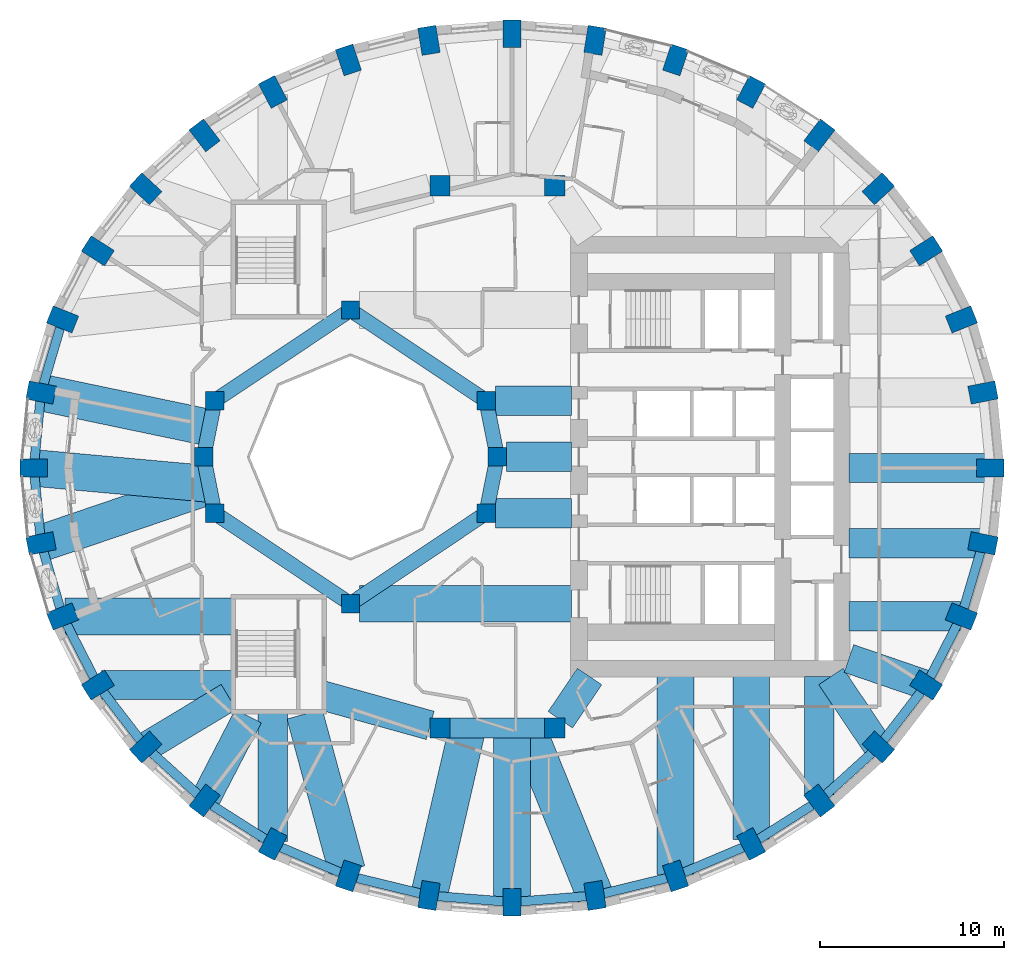
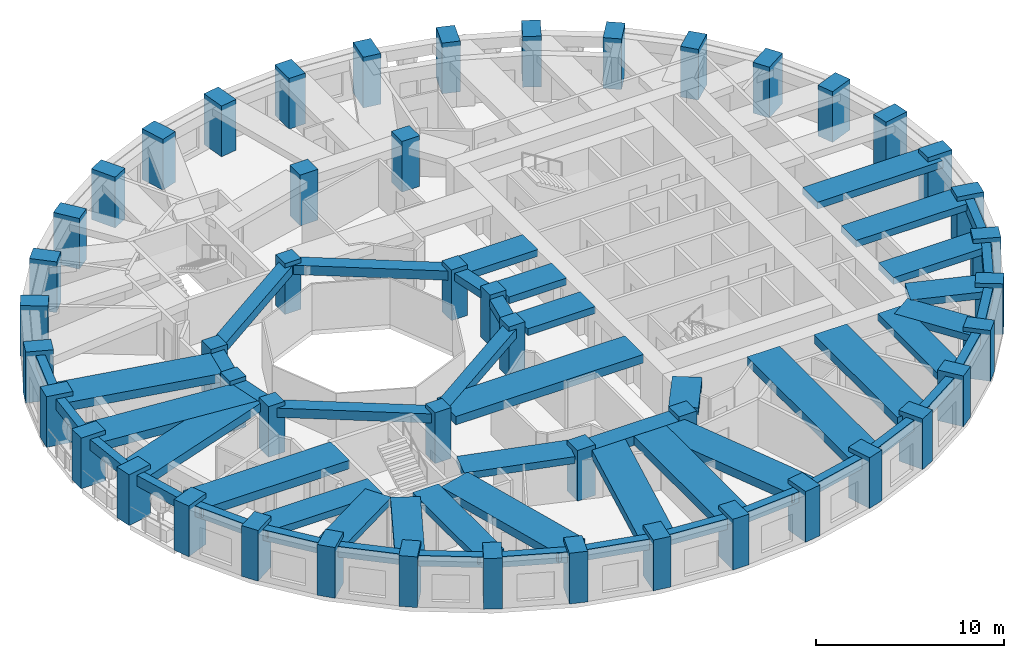
# One storey, part 1 of 12: 54 beams, 48 columns.
"""IFC4 building model written with IfcOpenShell, lengths in metres."""

from ifc_helpers import new_model, si_unit, direction, frame, origin, origin_2d, place, context, subcontext, project, spatial, rectangle, extrude, material, material_profile, profile_set, type_object, element, save


model = new_model("IFC4")

# Units and contexts
model_context = context("Model", 3, precision=1e-05, world=origin(), true_north=direction((0.0, 1.0)))
body_context = subcontext(model_context, "Body", "Model", "MODEL_VIEW")
ifc_project = project(units=[si_unit("LENGTHUNIT", "METRE"), si_unit("AREAUNIT", "SQUARE_METRE"), si_unit("VOLUMEUNIT", "CUBIC_METRE"), si_unit("PLANEANGLEUNIT", "RADIAN"), si_unit("MASSUNIT", "GRAM", prefix="KILO")], contexts=[model_context])

# Site, building, storey
site_placement = place(None, origin())
site = spatial("IfcSite", under=ifc_project, at=site_placement, CompositionType="ELEMENT")
building_placement = place(site_placement, origin())
building = spatial("IfcBuilding", under=site, at=building_placement, Name="Taillehof Tower", CompositionType="ELEMENT")
storey_placement = place(building_placement, frame((0.0, 0.0, 102.10009765625)))
storey = spatial("IfcBuildingStorey", under=building, at=storey_placement, Name="L28", CompositionType="ELEMENT", Elevation=102.10009765625)

# Columns
ifc_material_1 = material(Name="Concrete C50/60", Category="concrete")
ifc_material_profile_1 = material_profile(ifc_material_1, rectangle(XDim=1.0, YDim=1.0, at=origin_2d()), Name="RC 1000x1000")
ifc_profile_set_1 = profile_set([ifc_material_profile_1], Name="Concrete C50/60")
column_type_1 = type_object("IfcColumnType", Name="Atrium ring column C50/60 1000x1000", PredefinedType="COLUMN", material=ifc_profile_set_1)
for number, where, z_axis, x_axis, name in (
    (1, (0.0, 0.0, 0.0), (0.0, 0.0, 1.0), (1.0, 0.0, 0.0), "Column AC01"),
    (2, (-0.60888671875, 3.0615234375, 0.0), (0.0, 0.0, 1.0), (1.0, 0.0, 0.0), "Column AC02"),
    (3, (-8.0, 8.0, 0.0), (0.0, 0.0, 1.0), (1.0, 0.0, 0.0), "Column AC05"),
    (4, (-15.39111328125, 3.0615234375, 0.0), (0.0, 0.0, 1.0), (1.0, 0.0, 0.0), "Column AC08"),
    (5, (-16.0, 0.0, 0.0), (0.0, 0.0, 1.0), (1.0, 0.0, 0.0), "Column AC09"),
    (6, (-15.39111328125, -3.0615234375, 0.0), (0.0, 0.0, 1.0), (1.0, 0.0, 0.0), "Column AC10"),
    (7, (-8.0, -8.0, 0.0), (0.0, 0.0, 1.0), (1.0, 0.0, 0.0), "Column AC13"),
    (8, (-0.60888671875, -3.0615234375, 0.0), (0.0, 0.0, 1.0), (1.0, 0.0, 0.0), "Column AC16"),
):
    element("IfcColumn", number, at=place(storey_placement, frame(where, z_axis=z_axis, x_axis=x_axis)), inside=storey, type_object=column_type_1, Name=name, PredefinedType="COLUMN", context=body_context, shape_type="SweptSolid", body=[
        extrude(rectangle(XDim=1.0, YDim=1.0, at=origin_2d()), origin(), (0.0, 0.0, 1.0), 3.2998046875),
    ])
ifc_material_2 = material(Name="Concrete C50/60", Category="concrete")
ifc_material_profile_2 = material_profile(ifc_material_2, rectangle(XDim=1.10009765625, YDim=1.10009765625, at=origin_2d()), Name="RC 1100x1100")
ifc_profile_set_2 = profile_set([ifc_material_profile_2], Name="Concrete C50/60")
column_type_2 = type_object("IfcColumnType", Name="Mid-ring column C50/60 1100x1100", PredefinedType="COLUMN", material=ifc_profile_set_2)
for number, where, z_axis, x_axis, name in (
    (9, (3.125732421875, 14.772216796875, 0.0), (0.0, 0.0, 1.0), (1.0, 0.0, 0.0), "Column MC05"),
    (10, (-3.125732421875, 14.772216796875, 0.0), (0.0, 0.0, 1.0), (1.0, 0.0, 0.0), "Column MC06"),
    (11, (-3.125732421875, -14.772216796875, 0.0), (0.0, 0.0, 1.0), (1.0, 0.0, 0.0), "Column MC14"),
    (12, (3.125732421875, -14.772216796875, 0.0), (0.0, 0.0, 1.0), (1.0, 0.0, 0.0), "Column MC15"),
):
    element("IfcColumn", number, at=place(storey_placement, frame(where, z_axis=z_axis, x_axis=x_axis)), inside=storey, type_object=column_type_2, Name=name, PredefinedType="COLUMN", context=body_context, shape_type="SweptSolid", body=[
        extrude(rectangle(XDim=1.10009765625, YDim=1.10009765625, at=origin_2d()), origin(), (0.0, 0.0, 1.0), 3.2998046875),
    ])
ifc_material_3 = material(Name="Concrete C70/85", Category="concrete")
ifc_material_profile_3 = material_profile(ifc_material_3, rectangle(XDim=1.5, YDim=1.0, at=origin_2d()), Name="RC 1500x1000")
ifc_profile_set_3 = profile_set([ifc_material_profile_3], Name="Concrete C70/85")
column_type_3 = type_object("IfcColumnType", Name="Ring column C70/85 1500x1000", PredefinedType="COLUMN", material=ifc_profile_set_3)
for number, where, z_axis, x_axis, name in (
    (13, (26.85009765625, -0.60009765625, 0.0), (0.0, 0.0, 1.0), (1.0, 0.0, 0.0), "Ring column RC01"),
    (14, (26.454345703125, 3.5068359375, 0.0), (0.0, 0.0, 1.0), (0.981757466121, 0.190137523166, 0.0), "Ring column RC02"),
    (15, (25.279052734375, 7.48876953125, 0.0), (0.0, 0.0, 1.0), (0.928550110352, 0.371207075048, 0.0), "Ring column RC03"),
    (16, (23.35986328125, 11.22509765625, 0.0), (0.0, 0.0, 1.0), (0.844511454562, 0.535537489923, 0.0), "Ring column RC04"),
    (17, (20.75537109375, 14.60205078125, 0.0), (0.0, 0.0, 1.0), (0.735332034083, 0.677707016085, 0.0), "Ring column RC05"),
    (18, (17.544677734375, 17.516845703125, 0.0), (0.0, 0.0, 1.0), (0.607074228939, 0.794645128694, 0.0), "Ring column RC06"),
    (19, (13.824951171875, 19.881591796875, 0.0), (0.0, 0.0, 1.0), (0.465283017627, 0.885161970211, 0.0), "Ring column RC07"),
    (20, (9.709716796875, 21.623779296875, 0.0), (0.0, 0.0, 1.0), (0.314554972703, 0.949239258116, 0.0), "Ring column RC08"),
    (21, (5.323486328125, 22.690673828125, 0.0), (0.0, 0.0, 1.0), (0.158507038215, 0.987357847407, 0.0), "Ring column RC09"),
    (22, (0.800048828125, 23.050048828125, 0.0), (0.0, 0.0, 1.0), (0.0, 1.0, 0.0), "Ring column RC10"),
    (23, (-3.7236328125, 22.690673828125, 0.0), (0.0, 0.0, 1.0), (-0.158507038215, 0.987357847407, 0.0), "Ring column RC11"),
    (24, (-8.109619140625, 21.623779296875, 0.0), (0.0, 0.0, 1.0), (-0.314554972703, 0.949239258116, 0.0), "Ring column RC12"),
    (25, (-12.22509765625, 19.881591796875, 0.0), (0.0, 0.0, 1.0), (-0.465283017627, 0.885161970211, 0.0), "Ring column RC13"),
    (26, (-15.944580078125, 17.516845703125, 0.0), (0.0, 0.0, 1.0), (-0.607074228939, 0.794645128694, 0.0), "Ring column RC14"),
    (27, (-19.155517578125, 14.60205078125, 0.0), (0.0, 0.0, 1.0), (-0.735332034083, 0.677707016085, 0.0), "Ring column RC15"),
    (28, (-21.760009765625, 11.22509765625, 0.0), (0.0, 0.0, 1.0), (-0.844511454562, 0.535537489923, 0.0), "Ring column RC16"),
    (29, (-23.678955078125, 7.48876953125, 0.0), (0.0, 0.0, 1.0), (-0.928550110352, 0.371207075048, 0.0), "Ring column RC17"),
    (30, (-24.854248046875, 3.5068359375, 0.0), (0.0, 0.0, 1.0), (-0.981757466121, 0.190137523166, 0.0), "Ring column RC18"),
    (31, (-25.25, -0.60009765625, 0.0), (0.0, 0.0, 1.0), (-1.0, 0.0, 0.0), "Ring column RC19"),
    (32, (-24.854248046875, -4.706787109375, 0.0), (0.0, 0.0, 1.0), (-0.981757466121, -0.190137523166, 0.0), "Ring column RC20"),
    (33, (-23.678955078125, -8.688720703125, 0.0), (0.0, 0.0, 1.0), (-0.928550110352, -0.371207075048, 0.0), "Ring column RC21"),
    (34, (-21.760009765625, -12.425048828125, 0.0), (0.0, 0.0, 1.0), (-0.844511454562, -0.535537489923, 0.0), "Ring column RC22"),
    (35, (-19.155517578125, -15.802001953125, 0.0), (0.0, 0.0, 1.0), (-0.735332034083, -0.677707016085, 0.0), "Ring column RC23"),
    (36, (-15.944580078125, -18.717041015625, 0.0), (0.0, 0.0, 1.0), (-0.607074228939, -0.794645128694, 0.0), "Ring column RC24"),
    (37, (-12.22509765625, -21.08154296875, 0.0), (0.0, 0.0, 1.0), (-0.465283017627, -0.885161970211, 0.0), "Ring column RC25"),
    (38, (-8.109619140625, -22.82373046875, 0.0), (0.0, 0.0, 1.0), (-0.314554972703, -0.949239258116, 0.0), "Ring column RC26"),
    (39, (-3.7236328125, -23.890625, 0.0), (0.0, 0.0, 1.0), (-0.158507038215, -0.987357847407, 0.0), "Ring column RC27"),
    (40, (0.800048828125, -24.25, 0.0), (0.0, 0.0, 1.0), (0.0, -1.0, 0.0), "Ring column RC28"),
    (41, (5.323486328125, -23.890625, 0.0), (0.0, 0.0, 1.0), (0.158507038215, -0.987357847407, 0.0), "Ring column RC29"),
    (42, (9.709716796875, -22.82373046875, 0.0), (0.0, 0.0, 1.0), (0.314554972703, -0.949239258116, 0.0), "Ring column RC30"),
    (43, (13.824951171875, -21.08154296875, 0.0), (0.0, 0.0, 1.0), (0.465283017627, -0.885161970211, 0.0), "Ring column RC31"),
    (44, (17.544677734375, -18.717041015625, 0.0), (0.0, 0.0, 1.0), (0.607074228939, -0.794645128694, 0.0), "Ring column RC32"),
    (45, (20.75537109375, -15.802001953125, 0.0), (0.0, 0.0, 1.0), (0.735332034083, -0.677707016085, 0.0), "Ring column RC33"),
    (46, (23.35986328125, -12.425048828125, 0.0), (0.0, 0.0, 1.0), (0.844511454562, -0.535537489923, 0.0), "Ring column RC34"),
    (47, (25.279052734375, -8.688720703125, 0.0), (0.0, 0.0, 1.0), (0.928550110352, -0.371207075048, 0.0), "Ring column RC35"),
    (48, (26.454345703125, -4.706787109375, 0.0), (0.0, 0.0, 1.0), (0.981757466121, -0.190137523166, 0.0), "Ring column RC36"),
):
    element("IfcColumn", number, at=place(storey_placement, frame(where, z_axis=z_axis, x_axis=x_axis)), inside=storey, type_object=column_type_3, Name=name, PredefinedType="COLUMN", context=body_context, shape_type="SweptSolid", body=[
        extrude(rectangle(XDim=1.5, YDim=1.0, at=origin_2d()), origin(), (0.0, 0.0, 1.0), 3.2998046875),
    ])

# Beams
ifc_material_4 = material(Name="Concrete C50/60", Category="concrete")
ifc_material_profile_4 = material_profile(ifc_material_4, rectangle(XDim=0.800048828125, YDim=0.5, at=origin_2d()), Name="RC 800x500")
ifc_profile_set_4 = profile_set([ifc_material_profile_4], Name="Concrete C50/60")
beam_type_1 = type_object("IfcBeamType", Name="Atrium ring beam C50/60 800x500", PredefinedType="BEAM", material=ifc_profile_set_4)
for number, where, z_axis, x_axis, name in (
    (49, (0.0, 0.0, 2.77001953125), (-0.195063155143, 0.980790683839, 0.0), (-0.980790683839, -0.195063155143, 0.0), "Atrium ring beam AB01"),
    (50, (-15.39111328125, 3.0615234375, 2.77001953125), (-0.195063155143, -0.980790683839, 0.0), (0.980790683839, -0.195063155143, 0.0), "Atrium ring beam AB04"),
    (51, (-16.0, 0.0, 2.77001953125), (0.195063155143, -0.980790683839, 0.0), (0.980790683839, 0.195063155143, 0.0), "Atrium ring beam AB05"),
    (52, (-0.60888671875, -3.0615234375, 2.77001953125), (0.195063155143, 0.980790683839, 0.0), (-0.980790683839, 0.195063155143, 0.0), "Atrium ring beam AB08"),
):
    element("IfcBeam", number, at=place(storey_placement, frame(where, z_axis=z_axis, x_axis=x_axis)), inside=storey, type_object=beam_type_1, Name=name, PredefinedType="BEAM", context=body_context, shape_type="SweptSolid", body=[
        extrude(rectangle(XDim=0.800048828125, YDim=0.5, at=origin_2d()), origin(), (0.0, 0.0, 1.0), 3.12158203125),
    ])
ifc_material_5 = material(Name="Concrete C50/60", Category="concrete")
ifc_material_profile_5 = material_profile(ifc_material_5, rectangle(XDim=0.800048828125, YDim=0.60009765625, at=origin_2d()), Name="RC 800x600")
ifc_profile_set_5 = profile_set([ifc_material_profile_5], Name="Concrete C50/60")
beam_type_2 = type_object("IfcBeamType", Name="Atrium ring beam C50/60 800x600", PredefinedType="BEAM", material=ifc_profile_set_5)
for number, where, z_axis, x_axis, name in (
    (53, (-0.60888671875, 3.0615234375, 2.719970703125), (-0.831475195687, 0.555561876804, 0.0), (-0.555561876804, -0.831475195687, 0.0), "Atrium ring beam AB02"),
    (54, (-8.0, 8.0, 2.719970703125), (-0.831475195687, -0.555561876804, 0.0), (0.555561876804, -0.831475195687, 0.0), "Atrium ring beam AB03"),
    (55, (-15.39111328125, -3.0615234375, 2.719970703125), (0.831475195687, -0.555561876804, 0.0), (0.555561876804, 0.831475195687, 0.0), "Atrium ring beam AB06"),
    (56, (-8.0, -8.0, 2.719970703125), (0.831475195687, 0.555561876804, 0.0), (-0.555561876804, 0.831475195687, 0.0), "Atrium ring beam AB07"),
):
    element("IfcBeam", number, at=place(storey_placement, frame(where, z_axis=z_axis, x_axis=x_axis)), inside=storey, type_object=beam_type_2, Name=name, PredefinedType="BEAM", context=body_context, shape_type="SweptSolid", body=[
        extrude(rectangle(XDim=0.800048828125, YDim=0.60009765625, at=origin_2d()), origin(), (0.0, 0.0, 1.0), 8.88916015625),
    ])
ifc_material_6 = material(Name="Concrete C50/60", Category="concrete")
ifc_material_profile_6 = material_profile(ifc_material_6, rectangle(XDim=1.10009765625, YDim=0.60009765625, at=origin_2d()), Name="RC 1100x600")
ifc_profile_set_6 = profile_set([ifc_material_profile_6], Name="Concrete C50/60")
beam_type_3 = type_object("IfcBeamType", Name="Mid-ring beam C50/60 1100x600", PredefinedType="BEAM", material=ifc_profile_set_6)
beam_1_placement = place(storey_placement, frame((-3.125732421875, -14.772216796875, 2.719970703125), z_axis=(1.0, 0.0, 0.0), x_axis=(0.0, 1.0, 0.0)))
element("IfcBeam", 57, at=beam_1_placement, inside=storey, type_object=beam_type_3, Name="Mid-ring beam MB02", PredefinedType="BEAM", context=body_context, shape_type="SweptSolid", body=[
    extrude(rectangle(XDim=1.10009765625, YDim=0.60009765625, at=origin_2d()), origin(), (0.0, 0.0, 1.0), 6.25146484375),
])
ifc_material_7 = material(Name="Concrete C50/60", Category="concrete")
ifc_material_profile_7 = material_profile(ifc_material_7, rectangle(XDim=1.60009765625, YDim=0.449951171875, at=origin_2d()), Name="RC 1600x450")
ifc_profile_set_7 = profile_set([ifc_material_profile_7], Name="Concrete C50/60")
beam_type_4 = type_object("IfcBeamType", Name="Radial band beam C50/60 1600x450", PredefinedType="BEAM", material=ifc_profile_set_7)
beam_2_placement = place(storey_placement, frame((26.85009765625, -0.60009765625, 2.794921875), z_axis=(-1.0, 0.0, 0.0), x_axis=(0.0, -1.0, 0.0)))
element("IfcBeam", 58, at=beam_2_placement, inside=storey, type_object=beam_type_4, Name="Radial band beam RB01", PredefinedType="BEAM", context=body_context, shape_type="SweptSolid", body=[
    extrude(rectangle(XDim=1.60009765625, YDim=0.449951171875, at=origin_2d()), origin(), (0.0, 0.0, 1.0), 7.7001953125),
])
beam_3_placement = place(storey_placement, frame((-21.54736328125, -12.425048828125, 2.794921875), z_axis=(1.0, 0.0, 0.0), x_axis=(0.0, 1.0, 0.0)))
element("IfcBeam", 59, at=beam_3_placement, inside=storey, type_object=beam_type_4, Name="Radial band beam RB22", PredefinedType="BEAM", context=body_context, shape_type="SweptSolid", body=[
    extrude(rectangle(XDim=1.60009765625, YDim=0.449951171875, at=origin_2d()), origin(), (0.0, 0.0, 1.0), 7.097412109375),
])
beam_4_placement = place(storey_placement, frame((-19.155517578125, -15.802001953125, 2.794921875), z_axis=(0.856794973818, 0.515657224171, 0.0), x_axis=(-0.515657224171, 0.856794973818, 0.0)))
element("IfcBeam", 60, at=beam_4_placement, inside=storey, type_object=beam_type_4, Name="Radial band beam RB23", PredefinedType="BEAM", context=body_context, shape_type="SweptSolid", body=[
    extrude(rectangle(XDim=1.60009765625, YDim=0.449951171875, at=origin_2d()), origin(), (0.0, 0.0, 1.0), 5.28369140625),
])
beam_5_placement = place(storey_placement, frame((-15.944580078125, -18.717041015625, 2.794921875), z_axis=(0.460119038647, 0.8878572353, 0.0), x_axis=(-0.8878572353, 0.460119038647, 0.0)))
element("IfcBeam", 61, at=beam_5_placement, inside=storey, type_object=beam_type_4, Name="Radial band beam RB24", PredefinedType="BEAM", context=body_context, shape_type="SweptSolid", body=[
    extrude(rectangle(XDim=1.60009765625, YDim=0.449951171875, at=origin_2d()), origin(), (0.0, 0.0, 1.0), 5.1796875),
])
beam_6_placement = place(storey_placement, frame((-12.22509765625, -20.9443359375, 2.794921875), z_axis=(0.0, 1.0, 0.0), x_axis=(-1.0, 0.0, 0.0)))
element("IfcBeam", 62, at=beam_6_placement, inside=storey, type_object=beam_type_4, Name="Radial band beam RB25", PredefinedType="BEAM", context=body_context, shape_type="SweptSolid", body=[
    extrude(rectangle(XDim=1.60009765625, YDim=0.449951171875, at=origin_2d()), origin(), (0.0, 0.0, 1.0), 6.994384765625),
])
beam_7_placement = place(storey_placement, frame((17.544677734375, -18.421875, 2.794921875), z_axis=(0.0, 1.0, 0.0), x_axis=(-1.0, 0.0, 0.0)))
element("IfcBeam", 63, at=beam_7_placement, inside=storey, type_object=beam_type_4, Name="Radial band beam RB32", PredefinedType="BEAM", context=body_context, shape_type="SweptSolid", body=[
    extrude(rectangle(XDim=1.60009765625, YDim=0.449951171875, at=origin_2d()), origin(), (0.0, 0.0, 1.0), 6.471923828125),
])
beam_8_placement = place(storey_placement, frame((20.75537109375, -15.802001953125, 2.794921875), z_axis=(-0.557822939952, 0.829959979555, 0.0), x_axis=(-0.829959979555, -0.557822939952, 0.0)))
element("IfcBeam", 64, at=beam_8_placement, inside=storey, type_object=beam_type_4, Name="Radial band beam RB33", PredefinedType="BEAM", context=body_context, shape_type="SweptSolid", body=[
    extrude(rectangle(XDim=1.60009765625, YDim=0.449951171875, at=origin_2d()), origin(), (0.0, 0.0, 1.0), 4.630859375),
])
beam_9_placement = place(storey_placement, frame((23.35986328125, -12.425048828125, 2.794921875), z_axis=(-0.946037817118, 0.324056242932, 0.0), x_axis=(-0.324056242932, -0.946037817118, 0.0)))
element("IfcBeam", 65, at=beam_9_placement, inside=storey, type_object=beam_type_4, Name="Radial band beam RB34", PredefinedType="BEAM", context=body_context, shape_type="SweptSolid", body=[
    extrude(rectangle(XDim=1.60009765625, YDim=0.449951171875, at=origin_2d()), origin(), (0.0, 0.0, 1.0), 4.447265625),
])
beam_10_placement = place(storey_placement, frame((25.2275390625, -8.688720703125, 2.794921875), z_axis=(-1.0, 0.0, 0.0), x_axis=(0.0, -1.0, 0.0)))
element("IfcBeam", 66, at=beam_10_placement, inside=storey, type_object=beam_type_4, Name="Radial band beam RB35", PredefinedType="BEAM", context=body_context, shape_type="SweptSolid", body=[
    extrude(rectangle(XDim=1.60009765625, YDim=0.449951171875, at=origin_2d()), origin(), (0.0, 0.0, 1.0), 6.07763671875),
])
beam_11_placement = place(storey_placement, frame((26.454345703125, -4.706787109375, 2.794921875), z_axis=(-1.0, 0.0, 0.0), x_axis=(0.0, -1.0, 0.0)))
element("IfcBeam", 67, at=beam_11_placement, inside=storey, type_object=beam_type_4, Name="Radial band beam RB36", PredefinedType="BEAM", context=body_context, shape_type="SweptSolid", body=[
    extrude(rectangle(XDim=1.60009765625, YDim=0.449951171875, at=origin_2d()), origin(), (0.0, 0.0, 1.0), 7.304443359375),
])
beam_12_placement = place(storey_placement, frame((0.5, 0.0, 2.794921875), z_axis=(1.0, 0.0, 0.0), x_axis=(0.0, 1.0, 0.0)))
element("IfcBeam", 68, at=beam_12_placement, inside=storey, type_object=beam_type_4, Name="Inner band beam IB101", PredefinedType="BEAM", context=body_context, shape_type="SweptSolid", body=[
    extrude(rectangle(XDim=1.60009765625, YDim=0.449951171875, at=origin_2d()), origin(), (0.0, 0.0, 1.0), 3.550048828125),
])
for number, where, z_axis, x_axis, name in (
    (69, (-0.10888671875, 3.0615234375, 2.794921875), (1.0, 0.0, 0.0), (0.0, 1.0, 0.0), "Inner band beam IB102"),
    (70, (-0.10888671875, -3.0615234375, 2.794921875), (1.0, 0.0, 0.0), (0.0, 1.0, 0.0), "Inner band beam IB116"),
):
    element("IfcBeam", number, at=place(storey_placement, frame(where, z_axis=z_axis, x_axis=x_axis)), inside=storey, type_object=beam_type_4, Name=name, PredefinedType="BEAM", context=body_context, shape_type="SweptSolid", body=[
        extrude(rectangle(XDim=1.60009765625, YDim=0.449951171875, at=origin_2d()), origin(), (0.0, 0.0, 1.0), 4.158935546875),
    ])
beam_13_placement = place(storey_placement, frame((-3.655517578125, -14.624755859375, 2.794921875), z_axis=(-0.963459369536, 0.267854518821, 0.0), x_axis=(-0.267854518821, -0.963459369536, 0.0)))
element("IfcBeam", 71, at=beam_13_placement, inside=storey, type_object=beam_type_4, Name="Inner band beam IB214", PredefinedType="BEAM", context=body_context, shape_type="SweptSolid", body=[
    extrude(rectangle(XDim=1.60009765625, YDim=0.449951171875, at=origin_2d()), origin(), (0.0, 0.0, 1.0), 6.096923828125),
])
beam_14_placement = place(storey_placement, frame((3.433837890625, -14.31640625, 2.794921875), z_axis=(0.560112043398, 0.828416862962, 0.0), x_axis=(-0.828416862962, 0.560112043398, 0.0)))
element("IfcBeam", 72, at=beam_14_placement, inside=storey, type_object=beam_type_4, Name="Inner band beam IB215", PredefinedType="BEAM", context=body_context, shape_type="SweptSolid", body=[
    extrude(rectangle(XDim=1.60009765625, YDim=0.449951171875, at=origin_2d()), origin(), (0.0, 0.0, 1.0), 2.84619140625),
])
ifc_material_8 = material(Name="Concrete C50/60", Category="concrete")
ifc_material_profile_8 = material_profile(ifc_material_8, rectangle(XDim=2.0, YDim=0.550048828125, at=origin_2d()), Name="RC 2000x550")
ifc_profile_set_8 = profile_set([ifc_material_profile_8], Name="Concrete C50/60")
beam_type_5 = type_object("IfcBeamType", Name="Radial band beam C50/60 2000x550", PredefinedType="BEAM", material=ifc_profile_set_8)
beam_15_placement = place(storey_placement, frame((-24.854248046875, 3.5068359375, 2.744873046875), z_axis=(0.978853404319, -0.204562980164, 0.0), x_axis=(0.204562980164, 0.978853404319, 0.0)))
element("IfcBeam", 73, at=beam_15_placement, inside=storey, type_object=beam_type_5, Name="Radial band beam RB18", PredefinedType="BEAM", context=body_context, shape_type="SweptSolid", body=[
    extrude(rectangle(XDim=2.0, YDim=0.550048828125, at=origin_2d()), origin(), (0.0, 0.0, 1.0), 9.36865234375),
])
beam_16_placement = place(storey_placement, frame((-25.25, -0.60009765625, 2.744873046875), z_axis=(0.995859515154, -0.090905588816, 0.0), x_axis=(0.090905588816, 0.995859515154, 0.0)))
element("IfcBeam", 74, at=beam_16_placement, inside=storey, type_object=beam_type_5, Name="Radial band beam RB19", PredefinedType="BEAM", context=body_context, shape_type="SweptSolid", body=[
    extrude(rectangle(XDim=2.0, YDim=0.550048828125, at=origin_2d()), origin(), (0.0, 0.0, 1.0), 9.58251953125),
])
beam_17_placement = place(storey_placement, frame((-24.854248046875, -4.706787109375, 2.744873046875), z_axis=(0.946822052625, 0.321757673822, 0.0), x_axis=(-0.321757673822, 0.946822052625, 0.0)))
element("IfcBeam", 75, at=beam_17_placement, inside=storey, type_object=beam_type_5, Name="Radial band beam RB20", PredefinedType="BEAM", context=body_context, shape_type="SweptSolid", body=[
    extrude(rectangle(XDim=2.0, YDim=0.550048828125, at=origin_2d()), origin(), (0.0, 0.0, 1.0), 9.685791015625),
])
beam_18_placement = place(storey_placement, frame((-23.54736328125, -8.688720703125, 2.744873046875), z_axis=(1.0, 0.0, 0.0), x_axis=(0.0, 1.0, 0.0)))
element("IfcBeam", 76, at=beam_18_placement, inside=storey, type_object=beam_type_5, Name="Radial band beam RB21", PredefinedType="BEAM", context=body_context, shape_type="SweptSolid", body=[
    extrude(rectangle(XDim=2.0, YDim=0.550048828125, at=origin_2d()), origin(), (0.0, 0.0, 1.0), 9.097412109375),
])
beam_19_placement = place(storey_placement, frame((-8.186767578125, -22.539306640625, 2.744873046875), z_axis=(-0.261461600872, 0.965213878511, 0.0), x_axis=(-0.965213878511, -0.261461600872, 0.0)))
element("IfcBeam", 77, at=beam_19_placement, inside=storey, type_object=beam_type_5, Name="Radial band beam RB26", PredefinedType="BEAM", context=body_context, shape_type="SweptSolid", body=[
    extrude(rectangle(XDim=2.0, YDim=0.550048828125, at=origin_2d()), origin(), (0.0, 0.0, 1.0), 8.835205078125),
])
beam_20_placement = place(storey_placement, frame((-3.7236328125, -23.890625, 2.744873046875), z_axis=(0.224215346781, 0.974539623755, 0.0), x_axis=(-0.974539623755, 0.224215346781, 0.0)))
element("IfcBeam", 78, at=beam_20_placement, inside=storey, type_object=beam_type_5, Name="Radial band beam RB27", PredefinedType="BEAM", context=body_context, shape_type="SweptSolid", body=[
    extrude(rectangle(XDim=2.0, YDim=0.550048828125, at=origin_2d()), origin(), (0.0, 0.0, 1.0), 9.356689453125),
])
beam_21_placement = place(storey_placement, frame((0.800048828125, -24.25, 2.744873046875), z_axis=(0.0, 1.0, 0.0), x_axis=(-1.0, 0.0, 0.0)))
element("IfcBeam", 79, at=beam_21_placement, inside=storey, type_object=beam_type_5, Name="Radial band beam RB28", PredefinedType="BEAM", context=body_context, shape_type="SweptSolid", body=[
    extrude(rectangle(XDim=2.0, YDim=0.550048828125, at=origin_2d()), origin(), (0.0, 0.0, 1.0), 9.477783203125),
])
beam_22_placement = place(storey_placement, frame((5.323486328125, -23.890625, 2.744873046875), z_axis=(-0.375801287916, 0.926700270854, 0.0), x_axis=(-0.926700270854, -0.375801287916, 0.0)))
element("IfcBeam", 80, at=beam_22_placement, inside=storey, type_object=beam_type_5, Name="Radial band beam RB29", PredefinedType="BEAM", context=body_context, shape_type="SweptSolid", body=[
    extrude(rectangle(XDim=2.0, YDim=0.550048828125, at=origin_2d()), origin(), (0.0, 0.0, 1.0), 9.839599609375),
])
beam_23_placement = place(storey_placement, frame((9.709716796875, -22.756591796875, 2.744873046875), z_axis=(0.0, 1.0, 0.0), x_axis=(-1.0, 0.0, 0.0)))
element("IfcBeam", 81, at=beam_23_placement, inside=storey, type_object=beam_type_5, Name="Radial band beam RB30", PredefinedType="BEAM", context=body_context, shape_type="SweptSolid", body=[
    extrude(rectangle(XDim=2.0, YDim=0.550048828125, at=origin_2d()), origin(), (0.0, 0.0, 1.0), 10.806640625),
])
beam_24_placement = place(storey_placement, frame((13.824951171875, -20.839599609375, 2.744873046875), z_axis=(0.0, 1.0, 0.0), x_axis=(-1.0, 0.0, 0.0)))
element("IfcBeam", 82, at=beam_24_placement, inside=storey, type_object=beam_type_5, Name="Radial band beam RB31", PredefinedType="BEAM", context=body_context, shape_type="SweptSolid", body=[
    extrude(rectangle(XDim=2.0, YDim=0.550048828125, at=origin_2d()), origin(), (0.0, 0.0, 1.0), 8.8896484375),
])
beam_25_placement = place(storey_placement, frame((-7.5, -8.0, 2.744873046875), z_axis=(1.0, 0.0, 0.0), x_axis=(0.0, 1.0, 0.0)))
element("IfcBeam", 83, at=beam_25_placement, inside=storey, type_object=beam_type_5, Name="Inner band beam IB113", PredefinedType="BEAM", context=body_context, shape_type="SweptSolid", body=[
    extrude(rectangle(XDim=2.0, YDim=0.550048828125, at=origin_2d()), origin(), (0.0, 0.0, 1.0), 11.550048828125),
])
ifc_material_9 = material(Name="Concrete C50/60", Category="concrete")
ifc_material_profile_9 = material_profile(ifc_material_9, rectangle(XDim=0.5, YDim=0.699951171875, at=origin_2d()), Name="RC 500x700")
ifc_profile_set_9 = profile_set([ifc_material_profile_9], Name="Concrete C50/60")
beam_type_6 = type_object("IfcBeamType", Name="Spandrel beam C50/60 500x700", PredefinedType="SPANDREL", material=ifc_profile_set_9)
beam_26_placement = place(storey_placement, frame((-23.678955078125, 7.48876953125, 2.669921875), z_axis=(-0.28308309012, -0.95909538842, 0.0), x_axis=(0.95909538842, -0.28308309012, 0.0)))
element("IfcBeam", 84, at=beam_26_placement, inside=storey, type_object=beam_type_6, Name="Spandrel beam SB17", PredefinedType="SPANDREL", context=body_context, shape_type="SweptSolid", body=[
    extrude(rectangle(XDim=0.5, YDim=0.699951171875, at=origin_2d()), origin(), (0.0, 0.0, 1.0), 4.15185546875),
])
beam_27_placement = place(storey_placement, frame((-24.854248046875, 3.5068359375, 2.669921875), z_axis=(-0.095917608943, -0.995389276763, 0.0), x_axis=(0.995389276763, -0.095917608943, 0.0)))
element("IfcBeam", 85, at=beam_27_placement, inside=storey, type_object=beam_type_6, Name="Spandrel beam SB18", PredefinedType="SPANDREL", context=body_context, shape_type="SweptSolid", body=[
    extrude(rectangle(XDim=0.5, YDim=0.699951171875, at=origin_2d()), origin(), (0.0, 0.0, 1.0), 4.1259765625),
])
beam_28_placement = place(storey_placement, frame((-25.25, -0.60009765625, 2.669921875), z_axis=(0.09592325873, -0.995388732323, 0.0), x_axis=(0.995388732323, 0.09592325873, 0.0)))
element("IfcBeam", 86, at=beam_28_placement, inside=storey, type_object=beam_type_6, Name="Spandrel beam SB19", PredefinedType="SPANDREL", context=body_context, shape_type="SweptSolid", body=[
    extrude(rectangle(XDim=0.5, YDim=0.699951171875, at=origin_2d()), origin(), (0.0, 0.0, 1.0), 4.125732421875),
])
beam_29_placement = place(storey_placement, frame((-24.854248046875, -4.706787109375, 2.669921875), z_axis=(0.28308309012, -0.95909538842, 0.0), x_axis=(0.95909538842, 0.28308309012, 0.0)))
element("IfcBeam", 87, at=beam_29_placement, inside=storey, type_object=beam_type_6, Name="Spandrel beam SB20", PredefinedType="SPANDREL", context=body_context, shape_type="SweptSolid", body=[
    extrude(rectangle(XDim=0.5, YDim=0.699951171875, at=origin_2d()), origin(), (0.0, 0.0, 1.0), 4.15185546875),
])
beam_30_placement = place(storey_placement, frame((-23.678955078125, -8.688720703125, 2.669921875), z_axis=(0.456859381733, -0.889538928503, 0.0), x_axis=(0.889538928503, 0.456859381733, 0.0)))
element("IfcBeam", 88, at=beam_30_placement, inside=storey, type_object=beam_type_6, Name="Spandrel beam SB21", PredefinedType="SPANDREL", context=body_context, shape_type="SweptSolid", body=[
    extrude(rectangle(XDim=0.5, YDim=0.699951171875, at=origin_2d()), origin(), (0.0, 0.0, 1.0), 4.2001953125),
])
beam_31_placement = place(storey_placement, frame((-21.760009765625, -12.425048828125, 2.669921875), z_axis=(0.61071731561, -0.79184869793, 0.0), x_axis=(0.79184869793, 0.61071731561, 0.0)))
element("IfcBeam", 89, at=beam_31_placement, inside=storey, type_object=beam_type_6, Name="Spandrel beam SB22", PredefinedType="SPANDREL", context=body_context, shape_type="SweptSolid", body=[
    extrude(rectangle(XDim=0.5, YDim=0.699951171875, at=origin_2d()), origin(), (0.0, 0.0, 1.0), 4.2646484375),
])
beam_32_placement = place(storey_placement, frame((-19.155517578125, -15.802001953125, 2.669921875), z_axis=(0.740398416885, -0.672168270803, 0.0), x_axis=(0.672168270803, 0.740398416885, 0.0)))
element("IfcBeam", 90, at=beam_32_placement, inside=storey, type_object=beam_type_6, Name="Spandrel beam SB23", PredefinedType="SPANDREL", context=body_context, shape_type="SweptSolid", body=[
    extrude(rectangle(XDim=0.5, YDim=0.699951171875, at=origin_2d()), origin(), (0.0, 0.0, 1.0), 4.336669921875),
])
beam_33_placement = place(storey_placement, frame((-15.944580078125, -18.717041015625, 2.669921875), z_axis=(0.843912293293, -0.536481165773, 0.0), x_axis=(0.536481165773, 0.843912293293, 0.0)))
element("IfcBeam", 91, at=beam_33_placement, inside=storey, type_object=beam_type_6, Name="Spandrel beam SB24", PredefinedType="SPANDREL", context=body_context, shape_type="SweptSolid", body=[
    extrude(rectangle(XDim=0.5, YDim=0.699951171875, at=origin_2d()), origin(), (0.0, 0.0, 1.0), 4.407470703125),
])
beam_34_placement = place(storey_placement, frame((-12.22509765625, -21.08154296875, 2.669921875), z_axis=(0.920885046825, -0.389834234688, 0.0), x_axis=(0.389834234688, 0.920885046825, 0.0)))
element("IfcBeam", 92, at=beam_34_placement, inside=storey, type_object=beam_type_6, Name="Spandrel beam SB25", PredefinedType="SPANDREL", context=body_context, shape_type="SweptSolid", body=[
    extrude(rectangle(XDim=0.5, YDim=0.699951171875, at=origin_2d()), origin(), (0.0, 0.0, 1.0), 4.468994140625),
])
beam_35_placement = place(storey_placement, frame((-8.109619140625, -22.82373046875, 2.669921875), z_axis=(0.971665924588, -0.236358479847, 0.0), x_axis=(0.236358479847, 0.971665924588, 0.0)))
element("IfcBeam", 93, at=beam_35_placement, inside=storey, type_object=beam_type_6, Name="Spandrel beam SB26", PredefinedType="SPANDREL", context=body_context, shape_type="SweptSolid", body=[
    extrude(rectangle(XDim=0.5, YDim=0.699951171875, at=origin_2d()), origin(), (0.0, 0.0, 1.0), 4.513916015625),
])
beam_36_placement = place(storey_placement, frame((-3.7236328125, -23.890625, 2.669921875), z_axis=(0.996859260648, -0.079193525375, 0.0), x_axis=(0.079193525375, 0.996859260648, 0.0)))
element("IfcBeam", 94, at=beam_36_placement, inside=storey, type_object=beam_type_6, Name="Spandrel beam SB27", PredefinedType="SPANDREL", context=body_context, shape_type="SweptSolid", body=[
    extrude(rectangle(XDim=0.5, YDim=0.699951171875, at=origin_2d()), origin(), (0.0, 0.0, 1.0), 4.537841796875),
])
beam_37_placement = place(storey_placement, frame((0.800048828125, -24.25, 2.669921875), z_axis=(0.996858923208, 0.079197772828, 0.0), x_axis=(-0.079197772828, 0.996858923208, 0.0)))
element("IfcBeam", 95, at=beam_37_placement, inside=storey, type_object=beam_type_6, Name="Spandrel beam SB28", PredefinedType="SPANDREL", context=body_context, shape_type="SweptSolid", body=[
    extrude(rectangle(XDim=0.5, YDim=0.699951171875, at=origin_2d()), origin(), (0.0, 0.0, 1.0), 4.53759765625),
])
beam_38_placement = place(storey_placement, frame((5.323486328125, -23.890625, 2.669921875), z_axis=(0.971668945916, 0.23634605887, 0.0), x_axis=(-0.23634605887, 0.971668945916, 0.0)))
element("IfcBeam", 96, at=beam_38_placement, inside=storey, type_object=beam_type_6, Name="Spandrel beam SB29", PredefinedType="SPANDREL", context=body_context, shape_type="SweptSolid", body=[
    extrude(rectangle(XDim=0.5, YDim=0.699951171875, at=origin_2d()), origin(), (0.0, 0.0, 1.0), 4.51416015625),
])
beam_39_placement = place(storey_placement, frame((9.709716796875, -22.82373046875, 2.669921875), z_axis=(0.920876744153, 0.389853847074, 0.0), x_axis=(-0.389853847074, 0.920876744153, 0.0)))
element("IfcBeam", 97, at=beam_39_placement, inside=storey, type_object=beam_type_6, Name="Spandrel beam SB30", PredefinedType="SPANDREL", context=body_context, shape_type="SweptSolid", body=[
    extrude(rectangle(XDim=0.5, YDim=0.699951171875, at=origin_2d()), origin(), (0.0, 0.0, 1.0), 4.46875),
])
beam_40_placement = place(storey_placement, frame((13.824951171875, -21.08154296875, 2.669921875), z_axis=(0.843928234947, 0.536456087914, 0.0), x_axis=(-0.536456087914, 0.843928234947, 0.0)))
element("IfcBeam", 98, at=beam_40_placement, inside=storey, type_object=beam_type_6, Name="Spandrel beam SB31", PredefinedType="SPANDREL", context=body_context, shape_type="SweptSolid", body=[
    extrude(rectangle(XDim=0.5, YDim=0.699951171875, at=origin_2d()), origin(), (0.0, 0.0, 1.0), 4.40771484375),
])
beam_41_placement = place(storey_placement, frame((17.544677734375, -18.717041015625, 2.669921875), z_axis=(0.740372980414, 0.672196288202, 0.0), x_axis=(-0.672196288202, 0.740372980414, 0.0)))
element("IfcBeam", 99, at=beam_41_placement, inside=storey, type_object=beam_type_6, Name="Spandrel beam SB32", PredefinedType="SPANDREL", context=body_context, shape_type="SweptSolid", body=[
    extrude(rectangle(XDim=0.5, YDim=0.699951171875, at=origin_2d()), origin(), (0.0, 0.0, 1.0), 4.336669921875),
])
beam_42_placement = place(storey_placement, frame((20.75537109375, -15.802001953125, 2.669921875), z_axis=(0.61071731561, 0.79184869793, 0.0), x_axis=(-0.79184869793, 0.61071731561, 0.0)))
element("IfcBeam", 100, at=beam_42_placement, inside=storey, type_object=beam_type_6, Name="Spandrel beam SB33", PredefinedType="SPANDREL", context=body_context, shape_type="SweptSolid", body=[
    extrude(rectangle(XDim=0.5, YDim=0.699951171875, at=origin_2d()), origin(), (0.0, 0.0, 1.0), 4.2646484375),
])
beam_43_placement = place(storey_placement, frame((23.35986328125, -12.425048828125, 2.669921875), z_axis=(0.456905372708, 0.88951530644, 0.0), x_axis=(-0.88951530644, 0.456905372708, 0.0)))
element("IfcBeam", 101, at=beam_43_placement, inside=storey, type_object=beam_type_6, Name="Spandrel beam SB34", PredefinedType="SPANDREL", context=body_context, shape_type="SweptSolid", body=[
    extrude(rectangle(XDim=0.5, YDim=0.699951171875, at=origin_2d()), origin(), (0.0, 0.0, 1.0), 4.200439453125),
])
beam_44_placement = place(storey_placement, frame((25.279052734375, -8.688720703125, 2.669921875), z_axis=(0.28308309012, 0.95909538842, 0.0), x_axis=(-0.95909538842, 0.28308309012, 0.0)))
element("IfcBeam", 102, at=beam_44_placement, inside=storey, type_object=beam_type_6, Name="Spandrel beam SB35", PredefinedType="SPANDREL", context=body_context, shape_type="SweptSolid", body=[
    extrude(rectangle(XDim=0.5, YDim=0.699951171875, at=origin_2d()), origin(), (0.0, 0.0, 1.0), 4.15185546875),
])

save(model, "model.ifc")
